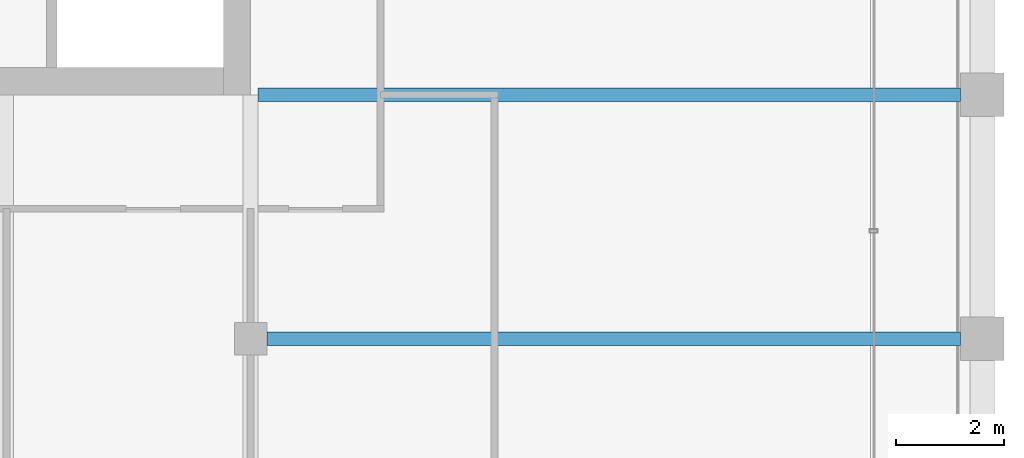
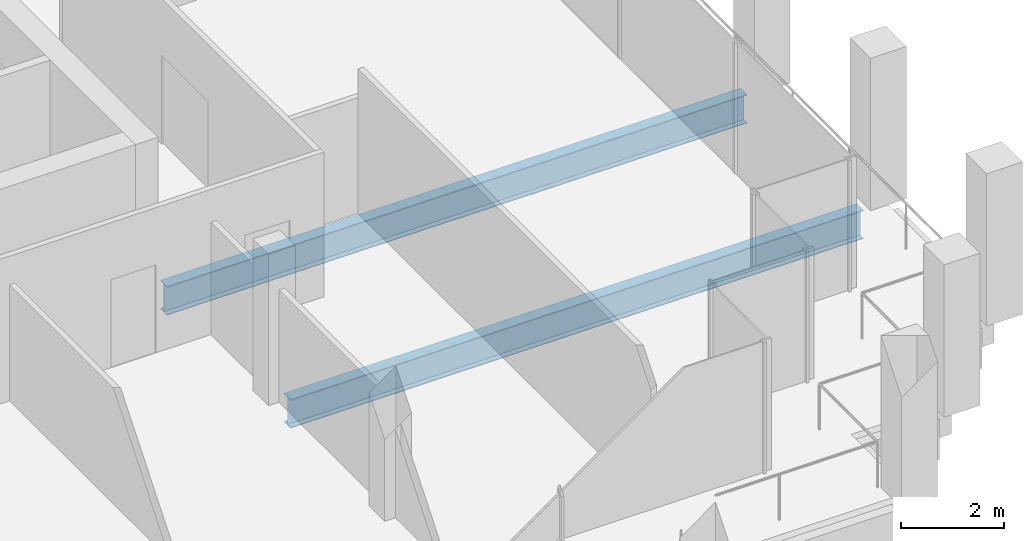
# One storey, part 14 of 30: 2 beams.
"""IFC4 building model written with IfcOpenShell, lengths in metres."""

from ifc_helpers import new_model, si_unit, direction, frame, origin, origin_2d, place, context, subcontext, project, spatial, i_section, extrude, material, material_profile, profile_set, type_object, element, save


model = new_model("IFC4")

# Units and contexts
model_context = context("Model", 3, precision=1e-05, world=origin(), true_north=direction((0.0, 1.0)))
body_context = subcontext(model_context, "Body", "Model", "MODEL_VIEW")
ifc_project = project(units=[si_unit("LENGTHUNIT", "METRE"), si_unit("AREAUNIT", "SQUARE_METRE"), si_unit("VOLUMEUNIT", "CUBIC_METRE"), si_unit("PLANEANGLEUNIT", "RADIAN"), si_unit("MASSUNIT", "GRAM", prefix="KILO")], contexts=[model_context])

# Site, building, storey
site_placement = place(None, origin())
site = spatial("IfcSite", under=ifc_project, at=site_placement, CompositionType="ELEMENT")
building_placement = place(site_placement, origin())
building = spatial("IfcBuilding", under=site, at=building_placement, Name="Altepetl Exchange Towers", CompositionType="ELEMENT")
storey_placement = place(building_placement, frame((0.0, 0.0, 220.800048828125)))
storey = spatial("IfcBuildingStorey", under=building, at=storey_placement, Name="L56", CompositionType="ELEMENT", Elevation=220.800048828125)

# Beams
ifc_material = material(Name="Steel S355", Category="steel")
ifc_material_profile = material_profile(ifc_material, i_section(OverallWidth=0.2529296875, OverallDepth=0.677978515625, WebThickness=0.01171875, FlangeThickness=0.016357421875, at=origin_2d()), Name="W27X84")
ifc_profile_set = profile_set([ifc_material_profile], Name="Steel S355")
beam_type = type_object("IfcBeamType", Name="Floor beam W27X84", PredefinedType="BEAM", material=ifc_profile_set)
beam_1_placement = place(storey_placement, frame((58.800048828125, 36.0, -0.489013671875), z_axis=(1.0, 0.0, 0.0), x_axis=(0.0, 1.0, 0.0)))
element("IfcBeam", 1, at=beam_1_placement, inside=storey, type_object=beam_type, Name="bm:A:L56:007", PredefinedType="BEAM", context=body_context, shape_type="SweptSolid", body=[
    extrude(i_section(OverallWidth=0.2529296875, OverallDepth=0.677978515625, WebThickness=0.01171875, FlangeThickness=0.016357421875, at=origin_2d()), origin(), (0.0, 0.0, 1.0), 12.800048828125),
])
beam_2_placement = place(storey_placement, frame((58.634033203125, 40.5, -0.489013671875), z_axis=(1.0, 0.0, 0.0), x_axis=(0.0, 1.0, 0.0)))
element("IfcBeam", 2, at=beam_2_placement, inside=storey, type_object=beam_type, Name="bm:A:L56:008", PredefinedType="BEAM", context=body_context, shape_type="SweptSolid", body=[
    extrude(i_section(OverallWidth=0.2529296875, OverallDepth=0.677978515625, WebThickness=0.01171875, FlangeThickness=0.016357421875, at=origin_2d()), origin(), (0.0, 0.0, 1.0), 12.966064453125),
])

save(model, "model.ifc")
